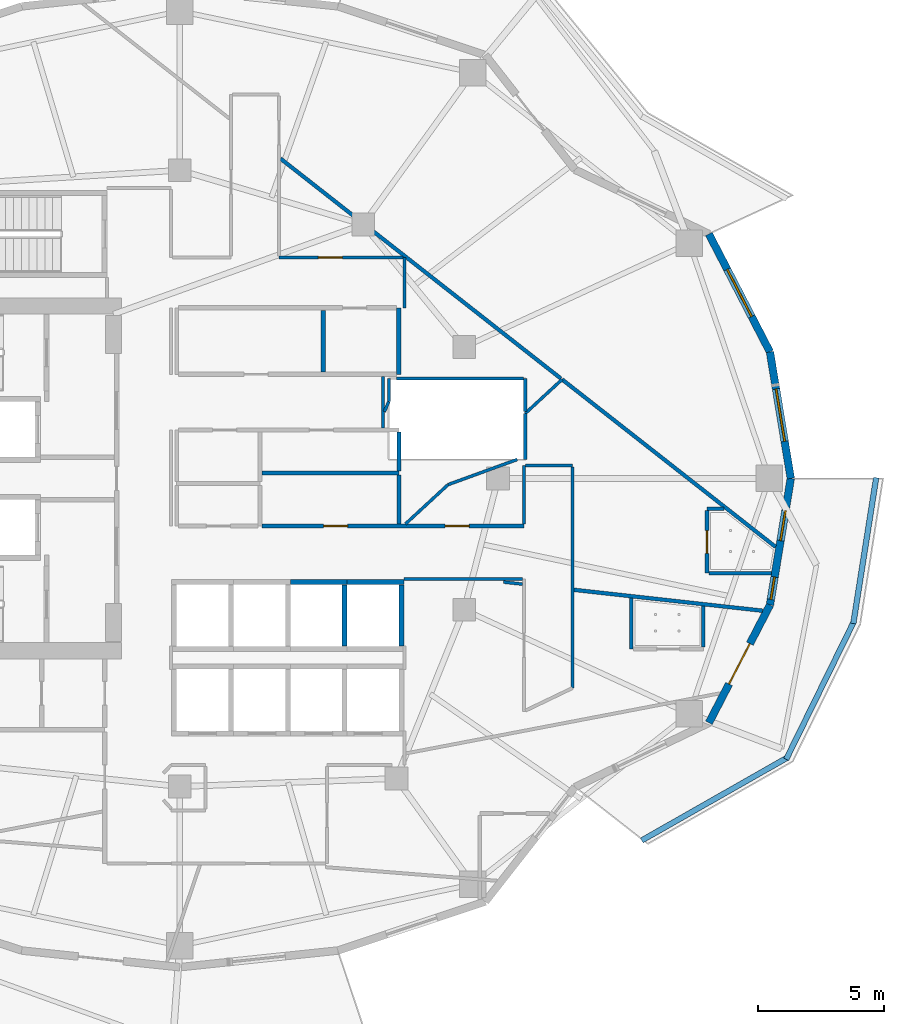
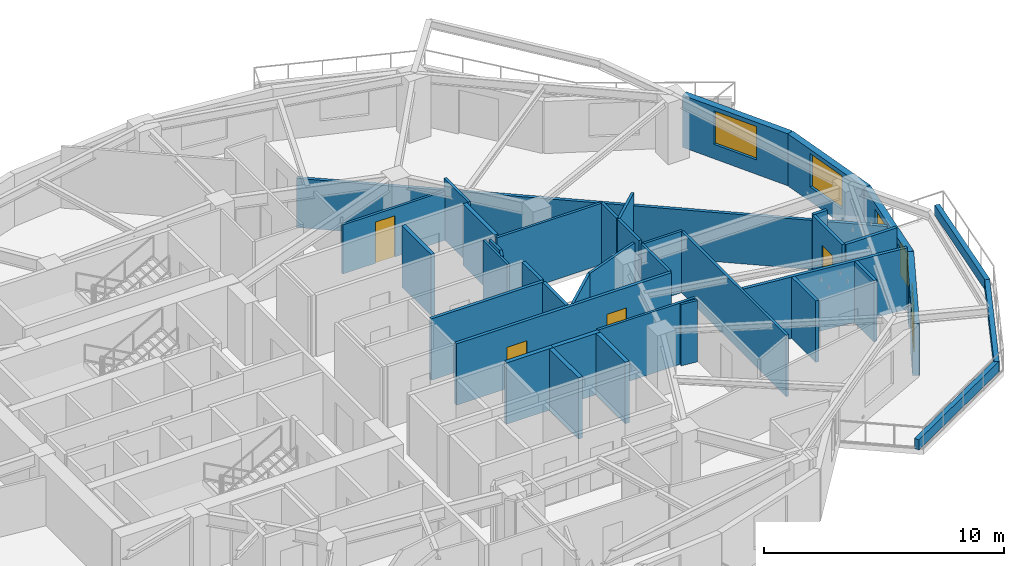
# One storey, part 6 of 14: 41 walls, 5 doors, 4 windows, 9 openings.
"""IFC4 building model written with IfcOpenShell, lengths in metres."""

from ifc_helpers import new_model, si_unit, direction, frame, frame_2d, origin, place, context, subcontext, project, spatial, rectangle, extrude, material, layer, layer_set, type_object, element, fill, save


model = new_model("IFC4")

# Units and contexts
model_context = context("Model", 3, precision=1e-05, world=origin(), true_north=direction((0.0, 1.0)))
body_context = subcontext(model_context, "Body", "Model", "MODEL_VIEW")
ifc_project = project(units=[si_unit("LENGTHUNIT", "METRE"), si_unit("AREAUNIT", "SQUARE_METRE"), si_unit("VOLUMEUNIT", "CUBIC_METRE"), si_unit("PLANEANGLEUNIT", "RADIAN"), si_unit("MASSUNIT", "GRAM", prefix="KILO")], contexts=[model_context])

# Site, building, storey
site_placement = place(None, origin())
site = spatial("IfcSite", under=ifc_project, at=site_placement, CompositionType="ELEMENT")
building_placement = place(site_placement, origin())
building = spatial("IfcBuilding", under=site, at=building_placement, Name="Kolvaren Gate Tower and Convention Centre", CompositionType="ELEMENT")
storey_placement = place(building_placement, frame((0.0, 0.0, 112.10009765625)))
storey = spatial("IfcBuildingStorey", under=building, at=storey_placement, Name="L27", CompositionType="ELEMENT", Elevation=112.10009765625)

# Walls
ifc_material_1 = material(Name="Autoclaved Aerated Masonry Blockwork Class 4 (4.0 MPa)", Category="masonry")
ifc_layer_1 = layer(ifc_material_1, 0.179931640625)
ifc_layer_set_1 = layer_set([ifc_layer_1], Name="Autoclaved Aerated Masonry Blockwork Class 4 (4.0 MPa)")
wall_type_1 = type_object("IfcWallType", Name="ARCH-WL-COMP-180", PredefinedType="SOLIDWALL", material=ifc_layer_set_1)
wall_1_placement = place(storey_placement, frame((38.800048828125, 31.1201171875, 0.0), z_axis=(0.0, 0.0, 1.0), x_axis=(0.0, 1.0, 0.0)))
element("IfcWall", 1, at=wall_1_placement, inside=storey, type_object=wall_type_1, Name="Interior Partition WL-L27-INT-023", PredefinedType="SOLIDWALL", context=body_context, shape_type="SweptSolid", body=[
    extrude(rectangle(XDim=2.6298828125, YDim=0.179931640625, at=frame_2d((1.31494140625, 0.0))), origin(), (0.0, 0.0, 1.0), 3.1298828125),
])
wall_2_placement = place(storey_placement, frame((35.800048828125, 31.2119140625, 0.0), z_axis=(0.0, 0.0, 1.0), x_axis=(0.0, 1.0, 0.0)))
element("IfcWall", 2, at=wall_2_placement, inside=storey, type_object=wall_type_1, Name="Interior Partition WL-L27-INT-026", PredefinedType="SOLIDWALL", context=body_context, shape_type="SweptSolid", body=[
    extrude(rectangle(XDim=2.446044921875, YDim=0.179931640625, at=frame_2d((1.22314453125, 0.0))), origin(), (0.0, 0.0, 1.0), 3.1298828125),
])
ifc_material_2 = material(Name="Fire-Rated Acoustic Gypsum Stud Partition", Category="gypsum")
ifc_layer_2 = layer(ifc_material_2, 0.1201171875)
ifc_layer_set_2 = layer_set([ifc_layer_2], Name="Fire-Rated Acoustic Gypsum Stud Partition")
wall_type_2 = type_object("IfcWallType", Name="ARCH-WL-PART-120", PredefinedType="PARTITIONING", material=ifc_layer_set_2)
wall_3_placement = place(storey_placement, frame((39.02001953125, 33.75, 0.0), z_axis=(0.0, 0.0, 1.0), x_axis=(0.0, 1.0, 0.0)))
element("IfcWall", 3, at=wall_3_placement, inside=storey, type_object=wall_type_2, Name="Interior Partition WL-L27-INT-028", PredefinedType="PARTITIONING", context=body_context, shape_type="SweptSolid", body=[
    extrude(rectangle(XDim=2.0, YDim=0.1201171875, at=frame_2d((1.0, 0.0))), origin(), (0.0, 0.0, 1.0), 3.1298828125),
])

# Wall, opening, door
wall_4_placement = place(storey_placement, frame((34.050048828125, 35.75, 0.0), z_axis=(0.0, 0.0, 1.0), x_axis=(1.0, 0.0, 0.0)))
wall_4 = element("IfcWall", 4, at=wall_4_placement, inside=storey, type_object=wall_type_2, Name="Interior Partition WL-L27-INT-040", PredefinedType="PARTITIONING", context=body_context, shape_type="SweptSolid", body=[
    extrude(rectangle(XDim=4.907958984375, YDim=0.1201171875, at=frame_2d((2.4541015625, 0.0))), origin(), (0.0, 0.0, 1.0), 2.5048828125),
])
opening_1_placement = place(wall_4_placement, frame((1.55908203125, 0.0, 0.0)))
opening_1 = element("IfcOpeningElement", 5, at=opening_1_placement, cuts=wall_4, Name="Opening DR-01", PredefinedType="OPENING", context=body_context, shape_type="SweptSolid", body=[
    extrude(rectangle(XDim=0.949951171875, YDim=2.10009765625, at=frame_2d((0.47509765625, 1.050048828125))), frame((0.0, 0.070068359375, 0.0), z_axis=(0.0, -1.0, 0.0), x_axis=(1.0, 0.0, 0.0)), (0.0, 0.0, 1.0), 0.14013671875),
])
ifc_material_3 = material(Name="Painted Architectural Steelwork ASTM A500 Grade C 345 MPa", Category="steel")
door_type_1 = type_object("IfcDoorType", Name="ARCH-DR-RISER-950", OperationType="SINGLE_SWING_RIGHT", PredefinedType="DOOR", material=ifc_material_3)
door_1_placement = place(opening_1_placement, origin())
door_1 = element("IfcDoor", 6, at=door_1_placement, inside=storey, type_object=door_type_1, Name="Hotel Botanical Clubroom Door", OperationType="SINGLE_SWING_LEFT", OverallHeight=2.10009765625, OverallWidth=0.949951171875, PredefinedType="DOOR", context=body_context, shape_type="SweptSolid", body=[
    extrude(rectangle(XDim=0.949951171875, YDim=2.10009765625, at=frame_2d((0.47509765625, 1.050048828125))), frame((0.0, 0.02490234375, 0.0), z_axis=(0.0, -1.0, 0.0), x_axis=(1.0, 0.0, 0.0)), (0.0, 0.0, 1.0), 0.050048828125),
])
fill(opening_1, door_1)

# Walls
wall_5_placement = place(storey_placement, frame((38.159912109375, 28.9970703125, 0.0), z_axis=(0.0, 0.0, 1.0), x_axis=(0.0, 1.0, 0.0)))
element("IfcWall", 7, at=wall_5_placement, inside=storey, type_object=wall_type_2, Name="Interior Partition WL-L27-INT-044", PredefinedType="PARTITIONING", context=body_context, shape_type="SweptSolid", body=[
    extrude(rectangle(XDim=2.031005859375, YDim=0.1201171875, at=frame_2d((1.015625, 0.0))), origin(), (0.0, 0.0, 1.0), 3.1298828125),
])
wall_6_placement = place(storey_placement, frame((43.75, 25.197021484375, 0.0), z_axis=(0.0, 0.0, 1.0), x_axis=(0.0, 1.0, 0.0)))
element("IfcWall", 8, at=wall_6_placement, inside=storey, type_object=wall_type_2, Name="Interior Partition WL-L27-INT-046", PredefinedType="PARTITIONING", context=body_context, shape_type="SweptSolid", body=[
    extrude(rectangle(XDim=2.31298828125, YDim=0.1201171875, at=frame_2d((1.156494140625, 0.0))), origin(), (0.0, 0.0, 1.0), 3.1298828125),
])
wall_7_placement = place(storey_placement, frame((43.81201171875, 27.510009765625, 0.0), z_axis=(0.0, 0.0, 1.0), x_axis=(1.0, 0.0, 0.0)))
element("IfcWall", 9, at=wall_7_placement, inside=storey, type_object=wall_type_2, Name="Interior Partition WL-L27-INT-047", PredefinedType="PARTITIONING", context=body_context, shape_type="SweptSolid", body=[
    extrude(rectangle(XDim=1.85791015625, YDim=0.1201171875, at=frame_2d((0.928955078125, 0.0))), origin(), (0.0, 0.0, 1.0), 3.1298828125),
])
wall_8_placement = place(storey_placement, frame((45.669921875, 18.700927734375, 0.0), z_axis=(0.0, 0.0, 1.0), x_axis=(0.0, 1.0, 0.0)))
element("IfcWall", 10, at=wall_8_placement, inside=storey, type_object=wall_type_2, Name="Interior Partition WL-L27-INT-048", PredefinedType="PARTITIONING", context=body_context, shape_type="SweptSolid", body=[
    extrude(rectangle(XDim=8.7470703125, YDim=0.1201171875, at=frame_2d((4.37353515625, 0.0))), origin(), (0.0, 0.0, 1.0), 3.1298828125),
])
wall_9_placement = place(storey_placement, frame((39.0, 23.02001953125, 0.0), z_axis=(0.0, 0.0, 1.0), x_axis=(1.0, 0.0, 0.0)))
element("IfcWall", 11, at=wall_9_placement, inside=storey, type_object=wall_type_2, Name="Interior Partition WL-L27-INT-050", PredefinedType="PARTITIONING", context=body_context, shape_type="SweptSolid", body=[
    extrude(rectangle(XDim=4.68798828125, YDim=0.1201171875, at=frame_2d((2.343994140625, 0.0))), origin(), (0.0, 0.0, 1.0), 3.1298828125),
])
wall_10_placement = place(storey_placement, frame((42.940673828125, 22.89794921875, 0.0), z_axis=(0.0, 0.0, 1.0), x_axis=(0.993923268999, -0.110075134986, 0.0)))
element("IfcWall", 12, at=wall_10_placement, inside=storey, type_object=wall_type_2, Name="Interior Partition WL-L27-INT-056", PredefinedType="PARTITIONING", context=body_context, shape_type="SweptSolid", body=[
    extrude(rectangle(XDim=0.751953125, YDim=0.1201171875, at=frame_2d((0.3759765625, 0.0))), origin(), (0.0, 0.0, 1.0), 3.1298828125),
])
wall_11_placement = place(storey_placement, frame((39.0576171875, 25.197021484375, 0.0), z_axis=(0.0, 0.0, 1.0), x_axis=(0.73497871786, 0.67809017416, 0.0)))
element("IfcWall", 13, at=wall_11_placement, inside=storey, type_object=wall_type_2, Name="Interior Partition WL-L27-INT-068", PredefinedType="PARTITIONING", context=body_context, shape_type="SweptSolid", body=[
    extrude(rectangle(XDim=2.2958984375, YDim=0.1201171875, at=frame_2d((1.14794921875, 0.0))), origin(), (0.0, 0.0, 1.0), 3.1298828125),
])
wall_12_placement = place(storey_placement, frame((43.80029296875, 29.57275390625, 0.0), z_axis=(0.0, 0.0, 1.0), x_axis=(0.734897778704, 0.678177893222, 0.0)))
element("IfcWall", 14, at=wall_12_placement, inside=storey, type_object=wall_type_2, Name="Interior Partition WL-L27-INT-069", PredefinedType="PARTITIONING", context=body_context, shape_type="SweptSolid", body=[
    extrude(rectangle(XDim=1.984375, YDim=0.1201171875, at=frame_2d((0.9921875, 0.0))), origin(), (0.0, 0.0, 1.0), 3.1298828125),
])
wall_13_placement = place(storey_placement, frame((40.7451171875, 26.75390625, 0.0), z_axis=(0.0, 0.0, 1.0), x_axis=(0.939656245212, 0.342120067862, 0.0)))
element("IfcWall", 15, at=wall_13_placement, inside=storey, type_object=wall_type_2, Name="Interior Partition WL-L27-INT-070", PredefinedType="PARTITIONING", context=body_context, shape_type="SweptSolid", body=[
    extrude(rectangle(XDim=2.91162109375, YDim=0.1201171875, at=frame_2d((1.455810546875, 0.0))), origin(), (0.0, 0.0, 1.0), 3.1298828125),
])
wall_14_placement = place(storey_placement, frame((43.800048828125, 27.75, 0.0), z_axis=(0.0, 0.0, 1.0), x_axis=(0.0, 1.0, 0.0)))
element("IfcWall", 16, at=wall_14_placement, inside=storey, type_object=wall_type_2, Name="Interior Partition WL-L27-INT-071", PredefinedType="PARTITIONING", context=body_context, shape_type="SweptSolid", body=[
    extrude(rectangle(XDim=1.822998046875, YDim=0.1201171875, at=frame_2d((0.91162109375, 0.0))), origin(), (0.0, 0.0, 1.0), 3.1298828125),
])
wall_15_placement = place(storey_placement, frame((43.800048828125, 29.656982421875, 0.0), z_axis=(0.0, 0.0, 1.0), x_axis=(0.0, 1.0, 0.0)))
element("IfcWall", 17, at=wall_15_placement, inside=storey, type_object=wall_type_2, Name="Interior Partition WL-L27-INT-071 (2)", PredefinedType="PARTITIONING", context=body_context, shape_type="SweptSolid", body=[
    extrude(rectangle(XDim=1.29296875, YDim=0.1201171875, at=frame_2d((0.646484375, 0.0))), origin(), (0.0, 0.0, 1.0), 3.1298828125),
])
wall_16_placement = place(storey_placement, frame((38.7080078125, 30.949951171875, 0.0), z_axis=(0.0, 0.0, 1.0), x_axis=(1.0, 0.0, 0.0)))
element("IfcWall", 18, at=wall_16_placement, inside=storey, type_object=wall_type_2, Name="Interior Partition WL-L27-INT-077", PredefinedType="PARTITIONING", context=body_context, shape_type="SweptSolid", body=[
    extrude(rectangle(XDim=5.030029296875, YDim=0.1201171875, at=frame_2d((2.51513671875, 0.0))), origin(), (0.0, 0.0, 1.0), 3.1298828125),
])
wall_17_placement = place(storey_placement, frame((38.39990234375, 30.041015625, 0.0), z_axis=(0.0, 0.0, 1.0), x_axis=(0.0, 1.0, 0.0)))
element("IfcWall", 19, at=wall_17_placement, inside=storey, type_object=wall_type_2, Name="Interior Partition WL-L27-INT-078", PredefinedType="PARTITIONING", context=body_context, shape_type="SweptSolid", body=[
    extrude(rectangle(XDim=0.908935546875, YDim=0.1201171875, at=frame_2d((0.45458984375, 0.0))), origin(), (0.0, 0.0, 1.0), 3.1298828125),
])
wall_18_placement = place(storey_placement, frame((38.221923828125, 29.64111328125, 0.0), z_axis=(0.0, 0.0, 1.0), x_axis=(0.406604168362, 0.913604427677, 0.0)))
element("IfcWall", 20, at=wall_18_placement, inside=storey, type_object=wall_type_2, Name="Interior Partition WL-L27-INT-079", PredefinedType="PARTITIONING", context=body_context, shape_type="SweptSolid", body=[
    extrude(rectangle(XDim=0.437744140625, YDim=0.1201171875, at=frame_2d((0.21875, 0.0))), origin(), (0.0, 0.0, 1.0), 3.1298828125),
])
ifc_material_4 = material(Name="Piedmont Cream Honed Limestone Cladding", Category="masonry")
ifc_layer_3 = layer(ifc_material_4, 0.219970703125)
ifc_layer_set_3 = layer_set([ifc_layer_3], Name="Piedmont Cream Honed Limestone Cladding")
wall_type_3 = type_object("IfcWallType", Name="ARCH-WL-PLANTER-220", PredefinedType="PARAPET", material=ifc_layer_set_3)
wall_19_placement = place(storey_placement, frame((48.41259765625, 12.667724609375, 0.0), z_axis=(0.0, 0.0, 1.0), x_axis=(0.869187658335, 0.494482370361, 0.0)))
element("IfcWall", 21, at=wall_19_placement, inside=storey, type_object=wall_type_3, Name="Vertical-Forest Balcony Stone Planter Kerb PK-L27-4.1", PredefinedType="PARAPET", context=body_context, shape_type="SweptSolid", body=[
    extrude(rectangle(XDim=6.606201171875, YDim=0.219970703125, at=frame_2d((3.30322265625, 0.0))), origin(), (0.0, 0.0, 1.0), 0.52001953125),
])
wall_20_placement = place(storey_placement, frame((54.12890625, 15.87841796875, 0.0), z_axis=(0.0, 0.0, 1.0), x_axis=(0.441269631716, 0.897374566235, 0.0)))
element("IfcWall", 22, at=wall_20_placement, inside=storey, type_object=wall_type_3, Name="Vertical-Forest Balcony Stone Planter Kerb PK-L27-4.2", PredefinedType="PARAPET", context=body_context, shape_type="SweptSolid", body=[
    extrude(rectangle(XDim=6.05615234375, YDim=0.219970703125, at=frame_2d((3.028076171875, 0.0))), origin(), (0.0, 0.0, 1.0), 0.52001953125),
])
wall_21_placement = place(storey_placement, frame((56.78857421875, 21.254150390625, 0.0), z_axis=(0.0, 0.0, 1.0), x_axis=(0.154903030247, 0.987929679289, 0.0)))
element("IfcWall", 23, at=wall_21_placement, inside=storey, type_object=wall_type_3, Name="Vertical-Forest Balcony Stone Planter Kerb PK-L27-4.3", PredefinedType="PARAPET", context=body_context, shape_type="SweptSolid", body=[
    extrude(rectangle(XDim=5.845703125, YDim=0.219970703125, at=frame_2d((2.9228515625, 0.0))), origin(), (0.0, 0.0, 1.0), 0.52001953125),
])
ifc_layer_4 = layer(ifc_material_1, 0.199951171875)
ifc_layer_set_4 = layer_set([ifc_layer_4], Name="Autoclaved Aerated Masonry Blockwork Class 4 (4.0 MPa)")
wall_type_4 = type_object("IfcWallType", Name="ARCH-WL-SHAFT-200", PredefinedType="SOLIDWALL", material=ifc_layer_set_4)
wall_22_placement = place(storey_placement, frame((34.5, 22.89990234375, 0.0), z_axis=(0.0, 0.0, 1.0), x_axis=(1.0, 0.0, 0.0)))
element("IfcWall", 24, at=wall_22_placement, inside=storey, type_object=wall_type_4, Name="Elevator PL-11 L27 Fire Shaft Wall N", PredefinedType="SOLIDWALL", context=body_context, shape_type="SweptSolid", body=[
    extrude(rectangle(XDim=2.25, YDim=0.199951171875, at=frame_2d((1.125, 0.0))), origin(), (0.0, 0.0, 1.0), 3.1298828125),
])
wall_23_placement = place(storey_placement, frame((36.64990234375, 20.360107421875, 0.0), z_axis=(0.0, 0.0, 1.0), x_axis=(0.0, 1.0, 0.0)))
element("IfcWall", 25, at=wall_23_placement, inside=storey, type_object=wall_type_4, Name="Elevator PL-11 L27 Fire Shaft Wall E", PredefinedType="SOLIDWALL", context=body_context, shape_type="SweptSolid", body=[
    extrude(rectangle(XDim=2.429931640625, YDim=0.199951171875, at=frame_2d((1.21484375, 0.0))), origin(), (0.0, 0.0, 1.0), 3.1298828125),
])
wall_24_placement = place(storey_placement, frame((36.75, 22.89990234375, 0.0), z_axis=(0.0, 0.0, 1.0), x_axis=(1.0, 0.0, 0.0)))
element("IfcWall", 26, at=wall_24_placement, inside=storey, type_object=wall_type_4, Name="Elevator PL-12 L27 Fire Shaft Wall N", PredefinedType="SOLIDWALL", context=body_context, shape_type="SweptSolid", body=[
    extrude(rectangle(XDim=2.25, YDim=0.199951171875, at=frame_2d((1.125, 0.0))), origin(), (0.0, 0.0, 1.0), 3.1298828125),
])
wall_25_placement = place(storey_placement, frame((38.89990234375, 20.360107421875, 0.0), z_axis=(0.0, 0.0, 1.0), x_axis=(0.0, 1.0, 0.0)))
element("IfcWall", 27, at=wall_25_placement, inside=storey, type_object=wall_type_4, Name="Elevator PL-12 L27 Fire Shaft Wall E", PredefinedType="SOLIDWALL", context=body_context, shape_type="SweptSolid", body=[
    extrude(rectangle(XDim=2.429931640625, YDim=0.199951171875, at=frame_2d((1.21484375, 0.0))), origin(), (0.0, 0.0, 1.0), 3.1298828125),
])

# Wall, opening, window
ifc_layer_5 = layer(ifc_material_4, 0.300048828125)
ifc_layer_set_5 = layer_set([ifc_layer_5], Name="Piedmont Cream Honed Limestone Cladding")
wall_type_5 = type_object("IfcWallType", Name="ARCH-WL-STONE-300", PredefinedType="SOLIDWALL", material=ifc_layer_set_5)
wall_26_placement = place(storey_placement, frame((53.48828125, 32.008056640625, 0.0), z_axis=(0.0, 0.0, 1.0), x_axis=(0.162393944769, -0.986726003864, 0.0)))
wall_26 = element("IfcWall", 28, at=wall_26_placement, inside=storey, type_object=wall_type_5, Name="Tower L27 Honed Stone Spandrel Wall EW-00", PredefinedType="SOLIDWALL", context=body_context, shape_type="SweptSolid", body=[
    extrude(rectangle(XDim=5.075439453125, YDim=0.300048828125, at=frame_2d((2.53759765625, 0.0))), origin(), (0.0, 0.0, 1.0), 2.65283203125),
])
opening_2_placement = place(wall_26_placement, frame((1.488037109375, 0.0, 0.739990234375)))
opening_2 = element("IfcOpeningElement", 29, at=opening_2_placement, cuts=wall_26, Name="Opening W-02", PredefinedType="OPENING", context=body_context, shape_type="SweptSolid", body=[
    extrude(rectangle(XDim=2.10009765625, YDim=1.699951171875, at=frame_2d((1.050048828125, 0.85009765625))), frame((0.0, 0.159912109375, 0.0), z_axis=(0.0, -1.0, 0.0), x_axis=(1.0, 0.0, 0.0)), (0.0, 0.0, 1.0), 0.320068359375),
])
ifc_material_5 = material(Name="Low-E Triple Insulated Glazing Unit 44 mm", Category="glass")
window_type_1 = type_object("IfcWindowType", Name="ARCH-WN-HTL-2100", PartitioningType="SINGLE_PANEL", PredefinedType="WINDOW", material=ifc_material_5)
window_1_placement = place(opening_2_placement, origin())
window_1 = element("IfcWindow", 30, at=window_1_placement, inside=storey, type_object=window_type_1, Name="Tower L27 Punched Stone Facade Window W-00", OverallHeight=1.699951171875, OverallWidth=2.10009765625, PartitioningType="SINGLE_PANEL", PredefinedType="WINDOW", context=body_context, shape_type="SweptSolid", body=[
    extrude(rectangle(XDim=2.10009765625, YDim=1.699951171875, at=frame_2d((1.050048828125, 0.85009765625))), frame((0.0, 0.030029296875, 0.0), z_axis=(0.0, -1.0, 0.0), x_axis=(1.0, 0.0, 0.0)), (0.0, 0.0, 1.0), 0.06005859375),
])
fill(opening_2, window_1)

wall_27_placement = place(storey_placement, frame((51.072021484375, 36.675048828125, 0.0), z_axis=(0.0, 0.0, 1.0), x_axis=(0.459767899643, -0.888039119892, 0.0)))
wall_27 = element("IfcWall", 31, at=wall_27_placement, inside=storey, type_object=wall_type_5, Name="Tower L27 Honed Stone Spandrel Wall EW-01", PredefinedType="SOLIDWALL", context=body_context, shape_type="SweptSolid", body=[
    extrude(rectangle(XDim=5.25537109375, YDim=0.300048828125, at=frame_2d((2.627685546875, 0.0))), origin(), (0.0, 0.0, 1.0), 2.65283203125),
])
opening_3_placement = place(wall_27_placement, frame((1.577880859375, 0.0, 0.739990234375)))
opening_3 = element("IfcOpeningElement", 32, at=opening_3_placement, cuts=wall_27, Name="Opening W-02", PredefinedType="OPENING", context=body_context, shape_type="SweptSolid", body=[
    extrude(rectangle(XDim=2.10009765625, YDim=1.699951171875, at=frame_2d((1.050048828125, 0.85009765625))), frame((0.0, 0.159912109375, 0.0), z_axis=(0.0, -1.0, 0.0), x_axis=(1.0, 0.0, 0.0)), (0.0, 0.0, 1.0), 0.320068359375),
])
window_2_placement = place(opening_3_placement, origin())
window_2 = element("IfcWindow", 33, at=window_2_placement, inside=storey, type_object=window_type_1, Name="Tower L27 Punched Stone Facade Window W-01", OverallHeight=1.699951171875, OverallWidth=2.10009765625, PartitioningType="SINGLE_PANEL", PredefinedType="WINDOW", context=body_context, shape_type="SweptSolid", body=[
    extrude(rectangle(XDim=2.10009765625, YDim=1.699951171875, at=frame_2d((1.050048828125, 0.85009765625))), frame((0.0, 0.030029296875, 0.0), z_axis=(0.0, -1.0, 0.0), x_axis=(1.0, 0.0, 0.0)), (0.0, 0.0, 1.0), 0.06005859375),
])
fill(opening_3, window_2)

# Wall, opening, door
wall_28_placement = place(storey_placement, frame((51.072021484375, 17.324951171875, 0.0), z_axis=(0.0, 0.0, 1.0), x_axis=(0.459767899643, 0.888039119892, 0.0)))
wall_28 = element("IfcWall", 34, at=wall_28_placement, inside=storey, type_object=wall_type_5, Name="Tower L27 Honed Stone Spandrel Wall EW-22", PredefinedType="SOLIDWALL", context=body_context, shape_type="SweptSolid", body=[
    extrude(rectangle(XDim=5.25537109375, YDim=0.300048828125, at=frame_2d((2.627685546875, 0.0))), origin(), (0.0, 0.0, 1.0), 2.65283203125),
])
opening_4_placement = place(wall_28_placement, frame((1.72802734375, 0.0, 0.0)))
opening_4 = element("IfcOpeningElement", 35, at=opening_4_placement, cuts=wall_28, Name="Opening DB-01", PredefinedType="OPENING", context=body_context, shape_type="SweptSolid", body=[
    extrude(rectangle(XDim=1.800048828125, YDim=2.25, at=frame_2d((0.89990234375, 1.125))), frame((0.0, 0.159912109375, 0.0), z_axis=(0.0, -1.0, 0.0), x_axis=(1.0, 0.0, 0.0)), (0.0, 0.0, 1.0), 0.320068359375),
])
ifc_material_6 = material(Name="Anodized Architectural Aluminium Alloy 6063-T6", Category="aluminium")
door_type_2 = type_object("IfcDoorType", Name="ARCH-DR-BALC-1800", OperationType="SLIDING_TO_LEFT", PredefinedType="DOOR", material=ifc_material_6)
door_2_placement = place(opening_4_placement, frame((1.800048828125, 0.0, 0.0), z_axis=(0.0, 0.0, 1.0), x_axis=(-1.0, 0.0, 0.0)))
door_2 = element("IfcDoor", 36, at=door_2_placement, inside=storey, type_object=door_type_2, Name="Planted Sky Terrace Access Door DB-L27-22", OperationType="SLIDING_TO_LEFT", OverallHeight=2.25, OverallWidth=1.800048828125, PredefinedType="DOOR", context=body_context, shape_type="SweptSolid", body=[
    extrude(rectangle(XDim=1.800048828125, YDim=2.25, at=frame_2d((0.89990234375, 1.125))), frame((0.0, 0.02490234375, 0.0), z_axis=(0.0, -1.0, 0.0), x_axis=(1.0, 0.0, 0.0)), (0.0, 0.0, 1.0), 0.050048828125),
])
fill(opening_4, door_2)

# Wall, openings, windows
wall_29_placement = place(storey_placement, frame((53.48828125, 21.991943359375, 0.0), z_axis=(0.0, 0.0, 1.0), x_axis=(0.162393944769, 0.986726003864, 0.0)))
wall_29 = element("IfcWall", 37, at=wall_29_placement, inside=storey, type_object=wall_type_5, Name="Tower L27 Honed Stone Spandrel Wall EW-23", PredefinedType="SOLIDWALL", context=body_context, shape_type="SweptSolid", body=[
    extrude(rectangle(XDim=5.075439453125, YDim=0.300048828125, at=frame_2d((2.53759765625, 0.0))), origin(), (0.0, 0.0, 1.0), 2.65283203125),
])
opening_5_placement = place(wall_29_placement, frame((2.580078125, 0.0, 0.719970703125)))
opening_5 = element("IfcOpeningElement", 38, at=opening_5_placement, cuts=wall_29, Name="Opening W-04", PredefinedType="OPENING", context=body_context, shape_type="SweptSolid", body=[
    extrude(rectangle(XDim=1.199951171875, YDim=1.64990234375, at=frame_2d((0.60009765625, 0.824951171875))), frame((0.0, 0.159912109375, 0.0), z_axis=(0.0, -1.0, 0.0), x_axis=(1.0, 0.0, 0.0)), (0.0, 0.0, 1.0), 0.320068359375),
])
opening_6_placement = place(wall_29_placement, frame((0.219970703125, 0.0, 0.719970703125)))
opening_6 = element("IfcOpeningElement", 39, at=opening_6_placement, cuts=wall_29, Name="Opening W-06", PredefinedType="OPENING", context=body_context, shape_type="SweptSolid", body=[
    extrude(rectangle(XDim=0.89990234375, YDim=1.64990234375, at=frame_2d((0.449951171875, 0.824951171875))), frame((0.0, 0.159912109375, 0.0), z_axis=(0.0, -1.0, 0.0), x_axis=(1.0, 0.0, 0.0)), (0.0, 0.0, 1.0), 0.320068359375),
])
window_type_2 = type_object("IfcWindowType", Name="ARCH-WN-NARROW-1200", PartitioningType="SINGLE_PANEL", PredefinedType="WINDOW", material=ifc_material_5)
window_3_placement = place(opening_5_placement, origin())
window_3 = element("IfcWindow", 40, at=window_3_placement, inside=storey, type_object=window_type_2, Name="Tower L27 Punched Stone Facade Window W-23", OverallHeight=1.64990234375, OverallWidth=1.199951171875, PartitioningType="SINGLE_PANEL", PredefinedType="WINDOW", context=body_context, shape_type="SweptSolid", body=[
    extrude(rectangle(XDim=1.199951171875, YDim=1.64990234375, at=frame_2d((0.60009765625, 0.824951171875))), frame((0.0, 0.030029296875, 0.0), z_axis=(0.0, -1.0, 0.0), x_axis=(1.0, 0.0, 0.0)), (0.0, 0.0, 1.0), 0.06005859375),
])
fill(opening_5, window_3)
window_type_3 = type_object("IfcWindowType", Name="ARCH-WN-PUNCH-900", PartitioningType="SINGLE_PANEL", PredefinedType="WINDOW", material=ifc_material_5)
window_4_placement = place(opening_6_placement, origin())
window_4 = element("IfcWindow", 41, at=window_4_placement, inside=storey, type_object=window_type_3, Name="Tower L27 Dwelling Daylight Window DW-01", OverallHeight=1.64990234375, OverallWidth=0.89990234375, PartitioningType="SINGLE_PANEL", PredefinedType="WINDOW", context=body_context, shape_type="SweptSolid", body=[
    extrude(rectangle(XDim=0.89990234375, YDim=1.64990234375, at=frame_2d((0.449951171875, 0.824951171875))), frame((0.0, 0.030029296875, 0.0), z_axis=(0.0, -1.0, 0.0), x_axis=(1.0, 0.0, 0.0)), (0.0, 0.0, 1.0), 0.06005859375),
])
fill(opening_6, window_4)

# Wall, openings, doors
ifc_material_7 = material(Name="Moisture-Resistant Cement-Board Acoustic Partition", Category="gypsum")
ifc_layer_6 = layer(ifc_material_7, 0.14990234375)
ifc_layer_set_6 = layer_set([ifc_layer_6], Name="Moisture-Resistant Cement-Board Acoustic Partition")
wall_type_6 = type_object("IfcWallType", Name="ARCH-WL-WET-150", PredefinedType="PARTITIONING", material=ifc_layer_set_6)
wall_30_placement = place(storey_placement, frame((33.376953125, 25.1201171875, 0.0), z_axis=(0.0, 0.0, 1.0), x_axis=(1.0, 0.0, 0.0)))
wall_30 = element("IfcWall", 42, at=wall_30_placement, inside=storey, type_object=wall_type_6, Name="Interior Partition WL-L27-INT-020 (2)", PredefinedType="PARTITIONING", context=body_context, shape_type="SweptSolid", body=[
    extrude(rectangle(XDim=10.373046875, YDim=0.14990234375, at=frame_2d((5.1865234375, 0.0))), origin(), (0.0, 0.0, 1.0), 3.1298828125),
])
opening_7_placement = place(wall_30_placement, frame((2.44140625, 0.0, 0.0)))
opening_7 = element("IfcOpeningElement", 43, at=opening_7_placement, cuts=wall_30, Name="Opening DR-01", PredefinedType="OPENING", context=body_context, shape_type="SweptSolid", body=[
    extrude(rectangle(XDim=0.949951171875, YDim=2.10009765625, at=frame_2d((0.47509765625, 1.050048828125))), frame((0.0, 0.0849609375, 0.0), z_axis=(0.0, -1.0, 0.0), x_axis=(1.0, 0.0, 0.0)), (0.0, 0.0, 1.0), 0.169921875),
])
opening_8_placement = place(wall_30_placement, frame((7.248046875, 0.0, 0.0)))
opening_8 = element("IfcOpeningElement", 44, at=opening_8_placement, cuts=wall_30, Name="Opening DR-01", PredefinedType="OPENING", context=body_context, shape_type="SweptSolid", body=[
    extrude(rectangle(XDim=0.949951171875, YDim=2.10009765625, at=frame_2d((0.47509765625, 1.050048828125))), frame((0.0, 0.0849609375, 0.0), z_axis=(0.0, -1.0, 0.0), x_axis=(1.0, 0.0, 0.0)), (0.0, 0.0, 1.0), 0.169921875),
])
door_3_placement = place(opening_7_placement, origin())
door_3 = element("IfcDoor", 45, at=door_3_placement, inside=storey, type_object=door_type_1, Name="Floor Coffee Pantry Door", OperationType="SINGLE_SWING_RIGHT", OverallHeight=2.10009765625, OverallWidth=0.949951171875, PredefinedType="DOOR", context=body_context, shape_type="SweptSolid", body=[
    extrude(rectangle(XDim=0.949951171875, YDim=2.10009765625, at=frame_2d((0.47509765625, 1.050048828125))), frame((0.0, 0.02490234375, 0.0), z_axis=(0.0, -1.0, 0.0), x_axis=(1.0, 0.0, 0.0)), (0.0, 0.0, 1.0), 0.050048828125),
])
fill(opening_7, door_3)
door_4_placement = place(opening_8_placement, origin())
door_4 = element("IfcDoor", 46, at=door_4_placement, inside=storey, type_object=door_type_1, Name="Deluxe Hotel Suite (HTL-L27-06) Door", OperationType="SINGLE_SWING_RIGHT", OverallHeight=2.10009765625, OverallWidth=0.949951171875, PredefinedType="DOOR", context=body_context, shape_type="SweptSolid", body=[
    extrude(rectangle(XDim=0.949951171875, YDim=2.10009765625, at=frame_2d((0.47509765625, 1.050048828125))), frame((0.0, 0.02490234375, 0.0), z_axis=(0.0, -1.0, 0.0), x_axis=(1.0, 0.0, 0.0)), (0.0, 0.0, 1.0), 0.050048828125),
])
fill(opening_8, door_4)

# Walls
wall_31_placement = place(storey_placement, frame((33.376953125, 27.219970703125, 0.0), z_axis=(0.0, 0.0, 1.0), x_axis=(1.0, 0.0, 0.0)))
element("IfcWall", 47, at=wall_31_placement, inside=storey, type_object=wall_type_6, Name="Interior Partition WL-L27-INT-021", PredefinedType="PARTITIONING", context=body_context, shape_type="SweptSolid", body=[
    extrude(rectangle(XDim=5.423095703125, YDim=0.14990234375, at=frame_2d((2.71142578125, 0.0))), origin(), (0.0, 0.0, 1.0), 3.1298828125),
])
wall_32_placement = place(storey_placement, frame((38.800048828125, 25.197021484375, 0.0), z_axis=(0.0, 0.0, 1.0), x_axis=(0.0, 1.0, 0.0)))
element("IfcWall", 48, at=wall_32_placement, inside=storey, type_object=wall_type_6, Name="Interior Partition WL-L27-INT-022", PredefinedType="PARTITIONING", context=body_context, shape_type="SweptSolid", body=[
    extrude(rectangle(XDim=1.946044921875, YDim=0.14990234375, at=frame_2d((0.97314453125, 0.0))), origin(), (0.0, 0.0, 1.0), 3.1298828125),
])
wall_33_placement = place(storey_placement, frame((38.800048828125, 27.297119140625, 0.0), z_axis=(0.0, 0.0, 1.0), x_axis=(0.0, 1.0, 0.0)))
element("IfcWall", 49, at=wall_33_placement, inside=storey, type_object=wall_type_6, Name="Interior Partition WL-L27-INT-022 (2)", PredefinedType="PARTITIONING", context=body_context, shape_type="SweptSolid", body=[
    extrude(rectangle(XDim=1.5458984375, YDim=0.14990234375, at=frame_2d((0.77294921875, 0.0))), origin(), (0.0, 0.0, 1.0), 3.1298828125),
])
wall_34_placement = place(storey_placement, frame((45.73193359375, 22.5888671875, 0.0), z_axis=(0.0, 0.0, 1.0), x_axis=(0.993915007742, -0.110149704422, 0.0)))
element("IfcWall", 50, at=wall_34_placement, inside=storey, type_object=wall_type_6, Name="Interior Partition WL-L27-INT-057", PredefinedType="PARTITIONING", context=body_context, shape_type="SweptSolid", body=[
    extrude(rectangle(XDim=7.511474609375, YDim=0.14990234375, at=frame_2d((3.755859375, 0.0))), origin(), (0.0, 0.0, 1.0), 3.1298828125),
])
wall_35_placement = place(storey_placement, frame((48.0, 20.25, 0.0), z_axis=(0.0, 0.0, 1.0), x_axis=(0.0, 1.0, 0.0)))
element("IfcWall", 51, at=wall_35_placement, inside=storey, type_object=wall_type_6, Name="Interior Partition WL-L27-INT-065", PredefinedType="PARTITIONING", context=body_context, shape_type="SweptSolid", body=[
    extrude(rectangle(XDim=2.010009765625, YDim=0.14990234375, at=frame_2d((1.0048828125, 0.0))), origin(), (0.0, 0.0, 1.0), 3.1298828125),
])
wall_36_placement = place(storey_placement, frame((50.85009765625, 20.326904296875, 0.0), z_axis=(0.0, 0.0, 1.0), x_axis=(0.0, 1.0, 0.0)))
element("IfcWall", 52, at=wall_36_placement, inside=storey, type_object=wall_type_6, Name="Interior Partition WL-L27-INT-067", PredefinedType="PARTITIONING", context=body_context, shape_type="SweptSolid", body=[
    extrude(rectangle(XDim=1.6171875, YDim=0.14990234375, at=frame_2d((0.80859375, 0.0))), origin(), (0.0, 0.0, 1.0), 3.1298828125),
])
wall_37_placement = place(storey_placement, frame((34.112060546875, 39.66064453125, 0.0), z_axis=(0.0, 0.0, 1.0), x_axis=(0.786863471843, -0.617127115495, 0.0)))
element("IfcWall", 53, at=wall_37_placement, inside=storey, type_object=wall_type_6, Name="Interior Partition WL-L27-INT-073", PredefinedType="PARTITIONING", context=body_context, shape_type="SweptSolid", body=[
    extrude(rectangle(XDim=14.10302734375, YDim=0.14990234375, at=frame_2d((7.051513671875, 0.0))), origin(), (0.0, 0.0, 1.0), 2.5048828125),
])
wall_38_placement = place(storey_placement, frame((45.25830078125, 30.918701171875, 0.0), z_axis=(0.0, 0.0, 1.0), x_axis=(0.786869212034, -0.617119796436, 0.0)))
element("IfcWall", 54, at=wall_38_placement, inside=storey, type_object=wall_type_6, Name="Interior Partition WL-L27-INT-073 (2)", PredefinedType="PARTITIONING", context=body_context, shape_type="SweptSolid", body=[
    extrude(rectangle(XDim=10.74365234375, YDim=0.14990234375, at=frame_2d((5.371826171875, 0.0))), origin(), (0.0, 0.0, 1.0), 2.5048828125),
])
wall_39_placement = place(storey_placement, frame((51.0, 25.800048828125, 0.0), z_axis=(0.0, 0.0, 1.0), x_axis=(1.0, 0.0, 0.0)))
element("IfcWall", 55, at=wall_39_placement, inside=storey, type_object=wall_type_6, Name="Interior Partition WL-L27-INT-074", PredefinedType="PARTITIONING", context=body_context, shape_type="SweptSolid", body=[
    extrude(rectangle(XDim=0.66015625, YDim=0.14990234375, at=frame_2d((0.330078125, 0.0))), origin(), (0.0, 0.0, 1.0), 3.1298828125),
])

# Wall, opening, door
wall_40_placement = place(storey_placement, frame((51.0, 23.25, 0.0), z_axis=(0.0, 0.0, 1.0), x_axis=(0.0, 1.0, 0.0)))
wall_40 = element("IfcWall", 56, at=wall_40_placement, inside=storey, type_object=wall_type_6, Name="Interior Partition WL-L27-INT-075", PredefinedType="PARTITIONING", context=body_context, shape_type="SweptSolid", body=[
    extrude(rectangle(XDim=2.472900390625, YDim=0.14990234375, at=frame_2d((1.236328125, 0.0))), origin(), (0.0, 0.0, 1.0), 3.1298828125),
])
opening_9_placement = place(wall_40_placement, frame((0.78662109375, 0.0, 0.0)))
opening_9 = element("IfcOpeningElement", 57, at=opening_9_placement, cuts=wall_40, Name="Opening DW-01", PredefinedType="OPENING", context=body_context, shape_type="SweptSolid", body=[
    extrude(rectangle(XDim=0.89990234375, YDim=2.10009765625, at=frame_2d((0.449951171875, 1.050048828125))), frame((0.0, 0.0849609375, 0.0), z_axis=(0.0, -1.0, 0.0), x_axis=(1.0, 0.0, 0.0)), (0.0, 0.0, 1.0), 0.169921875),
])
ifc_material_8 = material(Name="FSC Andean Oak Engineered Veneer Door Leaf", Category="wood")
door_type_3 = type_object("IfcDoorType", Name="ARCH-DR-WC-900", OperationType="SINGLE_SWING_RIGHT", PredefinedType="DOOR", material=ifc_material_8)
door_5_placement = place(opening_9_placement, origin())
door_5 = element("IfcDoor", 58, at=door_5_placement, inside=storey, type_object=door_type_3, Name="En-suite Bathroom (HTL-L27-06) Door", OperationType="SINGLE_SWING_RIGHT", OverallHeight=2.10009765625, OverallWidth=0.89990234375, PredefinedType="DOOR", context=body_context, shape_type="SweptSolid", body=[
    extrude(rectangle(XDim=0.89990234375, YDim=2.10009765625, at=frame_2d((0.449951171875, 1.050048828125))), frame((0.0, 0.02490234375, 0.0), z_axis=(0.0, -1.0, 0.0), x_axis=(1.0, 0.0, 0.0)), (0.0, 0.0, 1.0), 0.050048828125),
])
fill(opening_9, door_5)

# Wall
wall_41_placement = place(storey_placement, frame((51.076904296875, 23.25, 0.0), z_axis=(0.0, 0.0, 1.0), x_axis=(1.0, 0.0, 0.0)))
element("IfcWall", 59, at=wall_41_placement, inside=storey, type_object=wall_type_6, Name="Interior Partition WL-L27-INT-076", PredefinedType="PARTITIONING", context=body_context, shape_type="SweptSolid", body=[
    extrude(rectangle(XDim=2.46435546875, YDim=0.14990234375, at=frame_2d((1.232177734375, 0.0))), origin(), (0.0, 0.0, 1.0), 3.1298828125),
])

save(model, "model.ifc")
